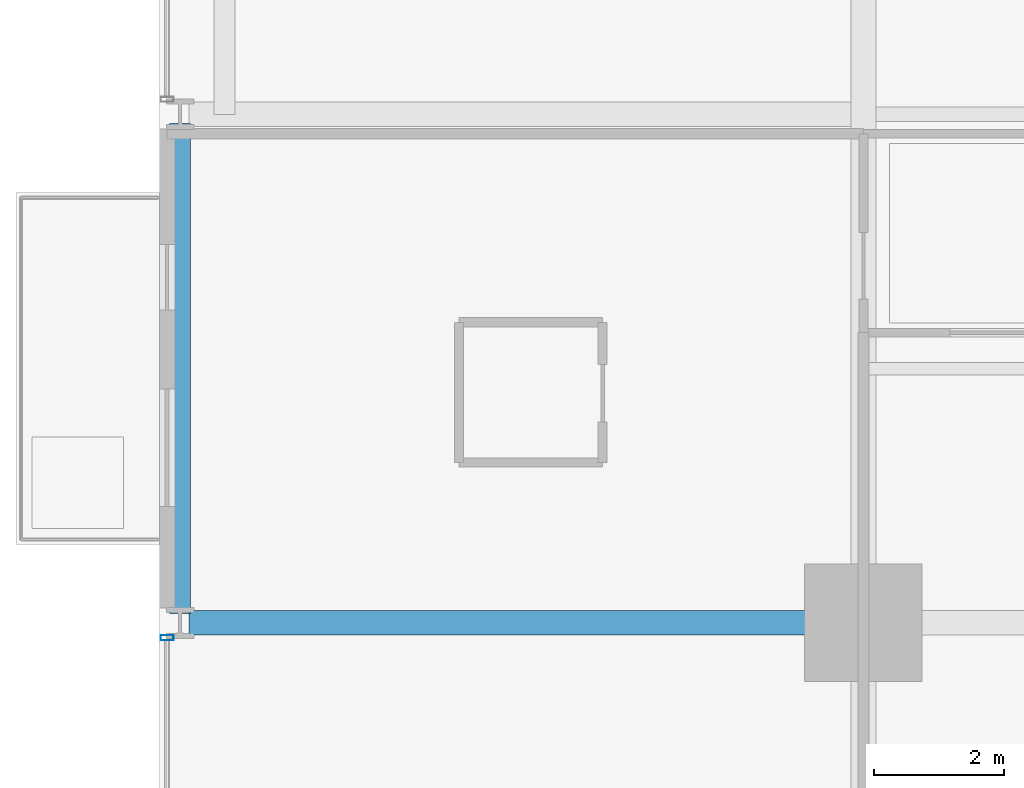
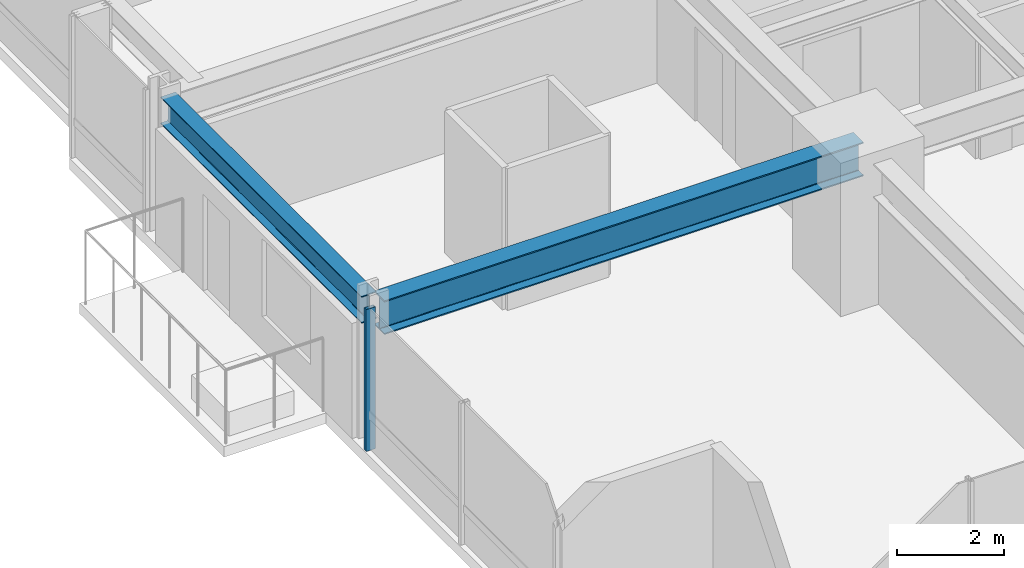
# One storey, part 4 of 37: 2 beams, 1 member, 1 element without a shape of its own.
"""IFC4 building model written with IfcOpenShell, lengths in metres."""

from ifc_helpers import new_model, si_unit, direction, frame, origin, origin_2d, place, context, subcontext, project, spatial, hollow_rectangle, i_section, extrude, material, layer, layer_set, material_profile, profile_set, type_object, element, aggregate, save


model = new_model("IFC4")

# Units and contexts
model_context = context("Model", 3, precision=1e-05, world=origin(), true_north=direction((0.0, 1.0)))
body_context = subcontext(model_context, "Body", "Model", "MODEL_VIEW")
ifc_project = project(units=[si_unit("LENGTHUNIT", "METRE"), si_unit("AREAUNIT", "SQUARE_METRE"), si_unit("VOLUMEUNIT", "CUBIC_METRE"), si_unit("PLANEANGLEUNIT", "RADIAN"), si_unit("MASSUNIT", "GRAM", prefix="KILO")], contexts=[model_context])

# Site, building, storey
site_placement = place(None, origin())
site = spatial("IfcSite", under=ifc_project, at=site_placement, CompositionType="ELEMENT")
building_placement = place(site_placement, origin())
building = spatial("IfcBuilding", under=site, at=building_placement, Name="Drelvath Grand Hotel", CompositionType="ELEMENT")
storey_placement = place(building_placement, frame((0.0, 0.0, 75.199951171875)))
storey = spatial("IfcBuildingStorey", under=building, at=storey_placement, Name="L18", CompositionType="ELEMENT", Elevation=75.199951171875)

# Curtain wall, member
ifc_material_1 = material(Name="Warm Bronze Anodised Aluminium Frame", Category="aluminium")
ifc_layer = layer(ifc_material_1, 0.199951171875)
ifc_layer_set = layer_set([ifc_layer], Name="Warm Bronze Anodised Aluminium Frame")
curtain_wall_type = type_object("IfcCurtainWallType", Name="Stick Curtain Wall CW-02 Warm Bronze Low-Rise", PredefinedType="NOTDEFINED", material=ifc_layer_set)
curtain_wall_placement = place(storey_placement, origin())
curtain_wall = element("IfcCurtainWall", 1, at=curtain_wall_placement, inside=storey, type_object=curtain_wall_type, Name="L18 CW-02 Curtain Wall CW02-L18-WS1", PredefinedType="NOTDEFINED")
ifc_material_profile_1 = material_profile(ifc_material_1, hollow_rectangle(XDim=0.080078125, YDim=0.199951171875, WallThickness=0.0048828125, at=origin_2d()), Name="HSS200X80X5")
ifc_profile_set_1 = profile_set([ifc_material_profile_1], Name="Warm Bronze Anodised Aluminium Frame")
member_type = type_object("IfcMemberType", Name="Curtain Wall Vertical Mullion CW-02 HSS200X80X5", PredefinedType="MULLION", material=ifc_profile_set_1)
member_placement = place(storey_placement, frame((-26.8798828125, 10.57080078125, 0.0), z_axis=(0.0, 0.0, 1.0), x_axis=(0.0, 1.0, 0.0)))
member = element("IfcMember", 2, at=member_placement, type_object=member_type, Name="CW02-L18-WS1 Mullion 3", PredefinedType="MULLION", context=body_context, shape_type="SweptSolid", body=[
    extrude(hollow_rectangle(XDim=0.080078125, YDim=0.199951171875, WallThickness=0.0048828125, at=origin_2d()), origin(), (0.0, 0.0, 1.0), 3.239990234375),
])
aggregate(curtain_wall, [member])

# Beams
ifc_material_2 = material(Name="Steel ASTM A992 Gr 50", Category="steel")
ifc_material_profile_2 = material_profile(ifc_material_2, i_section(OverallWidth=0.323974609375, OverallDepth=0.611083984375, WebThickness=0.0126953125, FlangeThickness=0.01904296875, FilletRadius=0.02197265625, at=origin_2d()), Name="W24X104")
ifc_profile_set_2 = profile_set([ifc_material_profile_2], Name="Steel ASTM A992 Gr 50")
beam_type_1 = type_object("IfcBeamType", Name="Perimeter Spandrel Beam W24X104", PredefinedType="SPANDREL", material=ifc_profile_set_2)
beam_1_placement = place(storey_placement, frame((-26.679931640625, 10.93994140625, 2.9345703125), z_axis=(0.0, 1.0, 0.0), x_axis=(-1.0, 0.0, 0.0)))
element("IfcBeam", 3, at=beam_1_placement, inside=storey, type_object=beam_type_1, Name="L18 Spandrel West S", PredefinedType="SPANDREL", context=body_context, shape_type="SweptSolid", body=[
    extrude(i_section(OverallWidth=0.323974609375, OverallDepth=0.611083984375, WebThickness=0.0126953125, FlangeThickness=0.01904296875, FilletRadius=0.02197265625, at=origin_2d()), origin(), (0.0, 0.0, 1.0), 7.52001953125),
])
ifc_material_profile_3 = material_profile(ifc_material_2, i_section(OverallWidth=0.380615234375, OverallDepth=0.773193359375, WebThickness=0.0166015625, FlangeThickness=0.027099609375, FilletRadius=0.02490234375, at=origin_2d()), Name="W30X173")
ifc_profile_set_3 = profile_set([ifc_material_profile_3], Name="Steel ASTM A992 Gr 50")
beam_type_2 = type_object("IfcBeamType", Name="Primary Floor Girder W30X173", PredefinedType="BEAM", material=ifc_profile_set_3)
beam_2_placement = place(storey_placement, frame((-26.5400390625, 10.800048828125, 2.853515625), z_axis=(1.0, 0.0, 0.0), x_axis=(0.0, 1.0, 0.0)))
element("IfcBeam", 4, at=beam_2_placement, inside=storey, type_object=beam_type_2, Name="L18 West Grid Girder C", PredefinedType="BEAM", context=body_context, shape_type="SweptSolid", body=[
    extrude(i_section(OverallWidth=0.380615234375, OverallDepth=0.773193359375, WebThickness=0.0166015625, FlangeThickness=0.027099609375, FilletRadius=0.02490234375, at=origin_2d()), origin(), (0.0, 0.0, 1.0), 10.340087890625),
])

save(model, "model.ifc")
